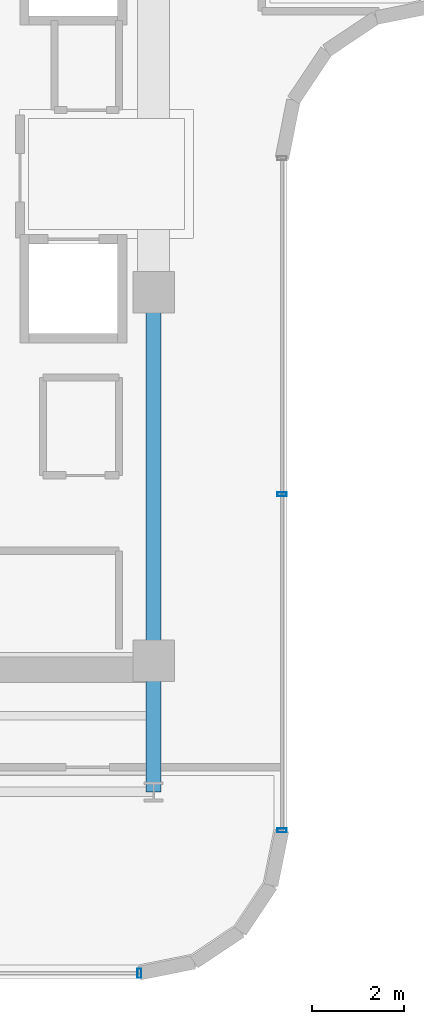
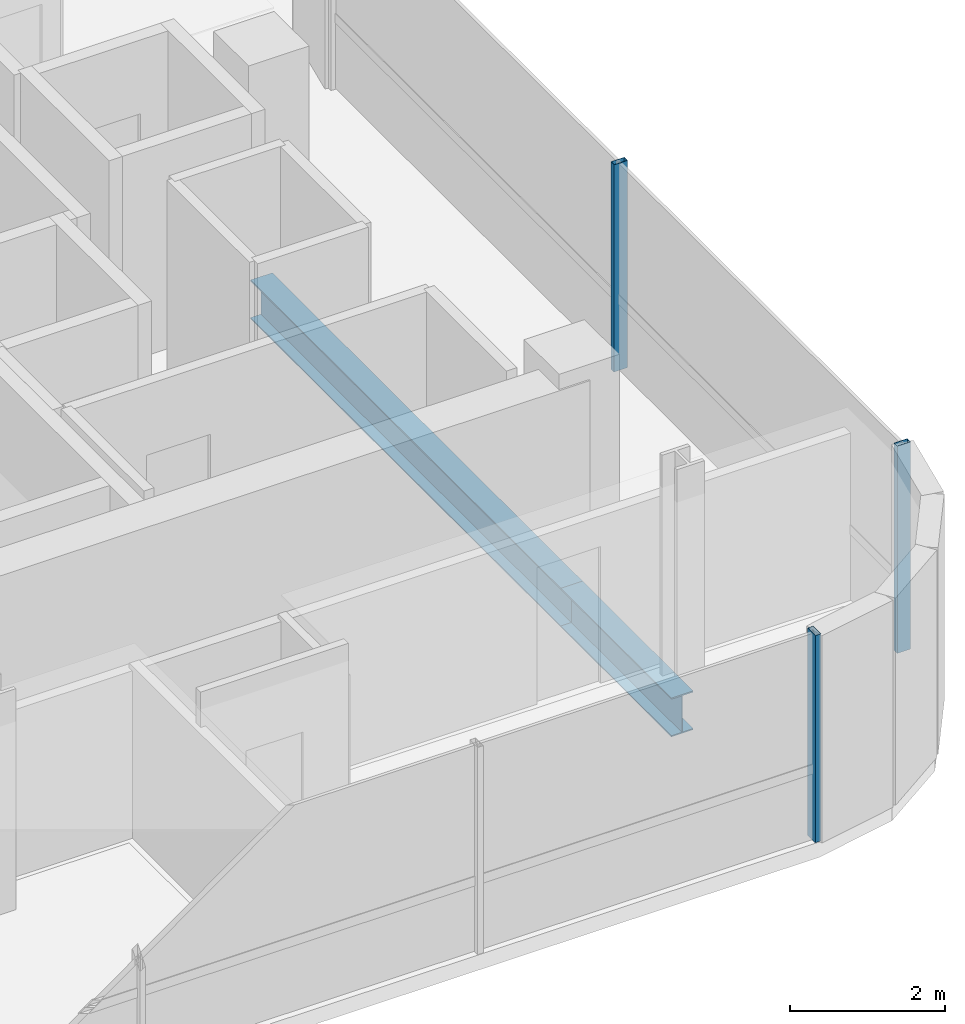
# One storey, part 6 of 23: 3 members, 2 beams, 2 elements without a shape of their own.
"""IFC4 building model written with IfcOpenShell, lengths in metres."""

from ifc_helpers import new_model, si_unit, direction, frame, origin, origin_2d, place, context, subcontext, project, spatial, hollow_rectangle, i_section, extrude, source, transform, mapped, material, material_profile, profile_set, type_object, element, aggregate, save


model = new_model("IFC4")

# Units and contexts
model_context = context("Model", 3, precision=1e-05, world=origin(), true_north=direction((0.0, 1.0)))
body_context = subcontext(model_context, "Body", "Model", "MODEL_VIEW")
ifc_project = project(units=[si_unit("LENGTHUNIT", "METRE"), si_unit("AREAUNIT", "SQUARE_METRE"), si_unit("VOLUMEUNIT", "CUBIC_METRE"), si_unit("PLANEANGLEUNIT", "RADIAN"), si_unit("MASSUNIT", "GRAM", prefix="KILO")], contexts=[model_context])

# Site, building, storey
site_placement = place(None, origin())
site = spatial("IfcSite", under=ifc_project, at=site_placement, CompositionType="ELEMENT")
building_placement = place(site_placement, origin())
building = spatial("IfcBuilding", under=site, at=building_placement, Name="Valdorenza Pilgrim Sanctuary Tower", CompositionType="ELEMENT")
storey_placement = place(building_placement, frame((0.0, 0.0, 226.5)))
storey = spatial("IfcBuildingStorey", under=building, at=storey_placement, Name="L58", CompositionType="ELEMENT", Elevation=226.5)

# Beams
ifc_material_1 = material(Name="Steel ASTM A992 Grade 50", Category="steel")
ifc_material_profile_1 = material_profile(ifc_material_1, i_section(OverallWidth=0.323974609375, OverallDepth=0.611083984375, WebThickness=0.0126953125, FlangeThickness=0.01904296875, at=origin_2d()), Name="W24X104")
ifc_profile_set_1 = profile_set([ifc_material_profile_1], Name="Steel ASTM A992 Grade 50")
beam_type = type_object("IfcBeamType", Name="STR-BM-GRD-W24B", PredefinedType="BEAM", material=ifc_profile_set_1)
shared_shape_1 = source(origin(), body_context, "Body", "SweptSolid", [
    extrude(i_section(OverallWidth=0.323974609375, OverallDepth=0.611083984375, WebThickness=0.0126953125, FlangeThickness=0.01904296875, at=origin_2d()), origin(), (0.0, 0.0, 1.0), 8.0),
])
beam_1_placement = place(storey_placement, frame((-12.39990234375, -10.60009765625, -0.54541015625), z_axis=(0.0, 1.0, 0.0), x_axis=(-1.0, 0.0, 0.0)))
element("IfcBeam", 1, at=beam_1_placement, inside=storey, type_object=beam_type, Name="L58 Core Tie Girder CA-E-S1M0", PredefinedType="BEAM", context=body_context, shape_type="MappedRepresentation", body=[
    mapped(shared_shape_1, transform((0.0, 0.0, 0.0), x_axis=(1.0, 0.0, 0.0), y_axis=(0.0, 1.0, 0.0), z_axis=(0.0, 0.0, 1.0), scale=1.0)),
])
shared_shape_2 = source(origin(), body_context, "Body", "SweptSolid", [
    extrude(i_section(OverallWidth=0.323974609375, OverallDepth=0.611083984375, WebThickness=0.0126953125, FlangeThickness=0.01904296875, at=origin_2d()), origin(), (0.0, 0.0, 1.0), 2.849853515625),
])
beam_2_placement = place(storey_placement, frame((-12.39990234375, -13.449951171875, -0.54541015625), z_axis=(0.0, 1.0, 0.0), x_axis=(-1.0, 0.0, 0.0)))
element("IfcBeam", 2, at=beam_2_placement, inside=storey, type_object=beam_type, Name="L58 Floor Girder WA-S-LE", PredefinedType="BEAM", context=body_context, shape_type="MappedRepresentation", body=[
    mapped(shared_shape_2, transform((0.0, 0.0, 0.0), x_axis=(1.0, 0.0, 0.0), y_axis=(0.0, 1.0, 0.0), z_axis=(0.0, 0.0, 1.0), scale=1.0)),
])

# Curtain wall, members
ifc_material_2 = material(Name="Curtain-wall IGU glazing", Category="glass")
curtain_wall_type = type_object("IfcCurtainWallType", Name="CW-SYS-02", PredefinedType="NOTDEFINED", material=ifc_material_2)
curtain_wall_1_placement = place(storey_placement, origin())
curtain_wall_1 = element("IfcCurtainWall", 3, at=curtain_wall_1_placement, inside=storey, type_object=curtain_wall_type, Name="L58 Curtain Wall CW-L58-1-21", PredefinedType="NOTDEFINED")
ifc_material_3 = material(Name="Anodised aluminium AW-6060", Category="aluminium")
ifc_material_profile_2 = material_profile(ifc_material_3, hollow_rectangle(XDim=0.0849609375, YDim=0.199951171875, WallThickness=0.0048828125, at=origin_2d()), Name="ALU-M 200x85x5")
ifc_profile_set_2 = profile_set([ifc_material_profile_2], Name="Anodised aluminium AW-6060")
member_type = type_object("IfcMemberType", Name="CW-MUL-02", PredefinedType="MULLION", material=ifc_profile_set_2)
shared_shape_3 = source(origin(), body_context, "Body", "SweptSolid", [
    extrude(hollow_rectangle(XDim=0.0849609375, YDim=0.199951171875, WallThickness=0.0048828125, at=origin_2d()), origin(), (0.0, 0.0, 1.0), 3.260009765625),
])
member_1_placement = place(storey_placement, frame((-9.610107421875, -6.9892578125, 0.0), z_axis=(0.0, 0.0, 1.0), x_axis=(0.0, -1.0, 0.0)))
member_1 = element("IfcMember", 4, at=member_1_placement, type_object=member_type, Name="CW-L58-1-21 Mullion 2", PredefinedType="MULLION", context=body_context, shape_type="MappedRepresentation", body=[
    mapped(shared_shape_3, transform((0.0, 0.0, 0.0), x_axis=(1.0, 0.0, 0.0), y_axis=(0.0, 1.0, 0.0), z_axis=(0.0, 0.0, 1.0), scale=1.0)),
])
member_2_placement = place(storey_placement, frame((-9.610107421875, -14.289306640625, 0.0), z_axis=(0.0, 0.0, 1.0), x_axis=(0.0, -1.0, 0.0)))
member_2 = element("IfcMember", 5, at=member_2_placement, type_object=member_type, Name="CW-L58-1-21 Mullion 3", PredefinedType="MULLION", context=body_context, shape_type="MappedRepresentation", body=[
    mapped(shared_shape_3, transform((0.0, 0.0, 0.0), x_axis=(1.0, 0.0, 0.0), y_axis=(0.0, 1.0, 0.0), z_axis=(0.0, 0.0, 1.0), scale=1.0)),
])
aggregate(curtain_wall_1, [member_1, member_2])

# Curtain wall, member
curtain_wall_2_placement = place(storey_placement, origin())
curtain_wall_2 = element("IfcCurtainWall", 6, at=curtain_wall_2_placement, inside=storey, type_object=curtain_wall_type, Name="L58 Curtain Wall CW-L58-1-26", PredefinedType="NOTDEFINED")
member_3_placement = place(storey_placement, frame((-12.710693359375, -17.389892578125, 0.0), z_axis=(0.0, 0.0, 1.0), x_axis=(-1.0, 0.0, 0.0)))
member_3 = element("IfcMember", 7, at=member_3_placement, type_object=member_type, Name="CW-L58-1-26 Mullion 1", PredefinedType="MULLION", context=body_context, shape_type="MappedRepresentation", body=[
    mapped(shared_shape_3, transform((0.0, 0.0, 0.0), x_axis=(1.0, 0.0, 0.0), y_axis=(0.0, 1.0, 0.0), z_axis=(0.0, 0.0, 1.0), scale=1.0)),
])
aggregate(curtain_wall_2, [member_3])

save(model, "model.ifc")
